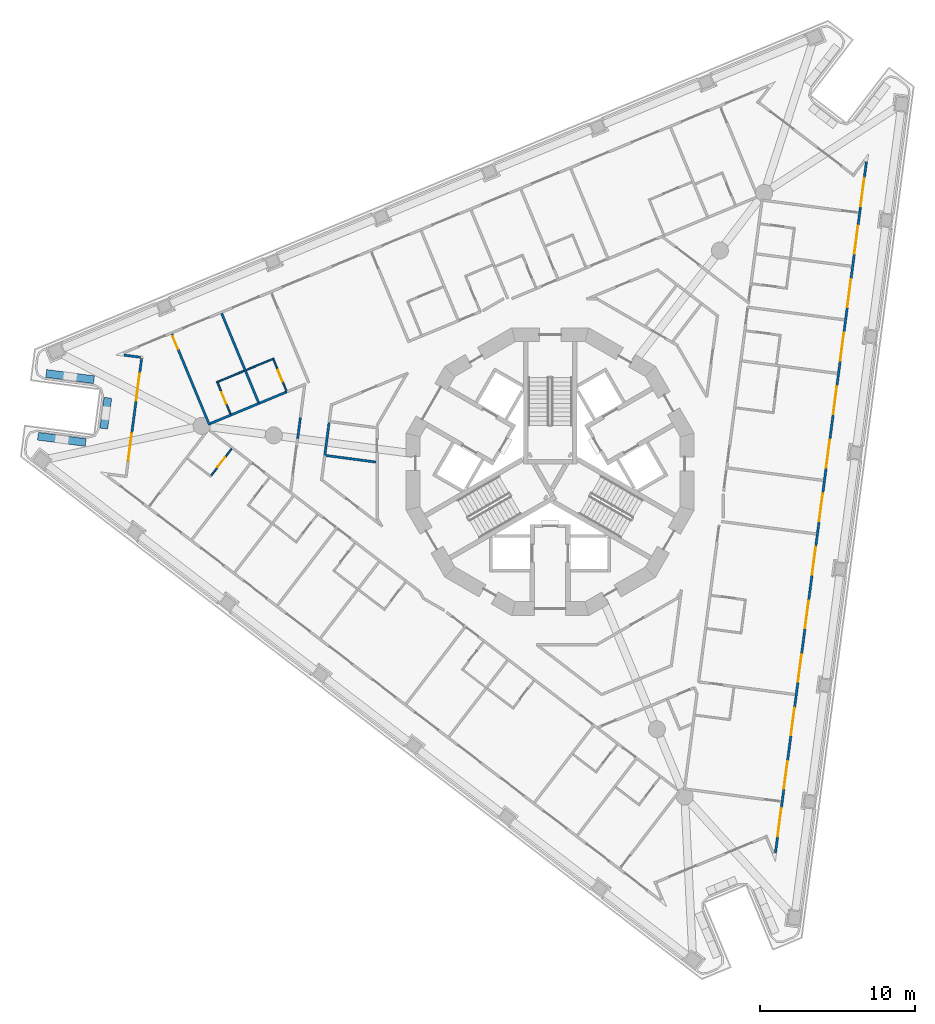
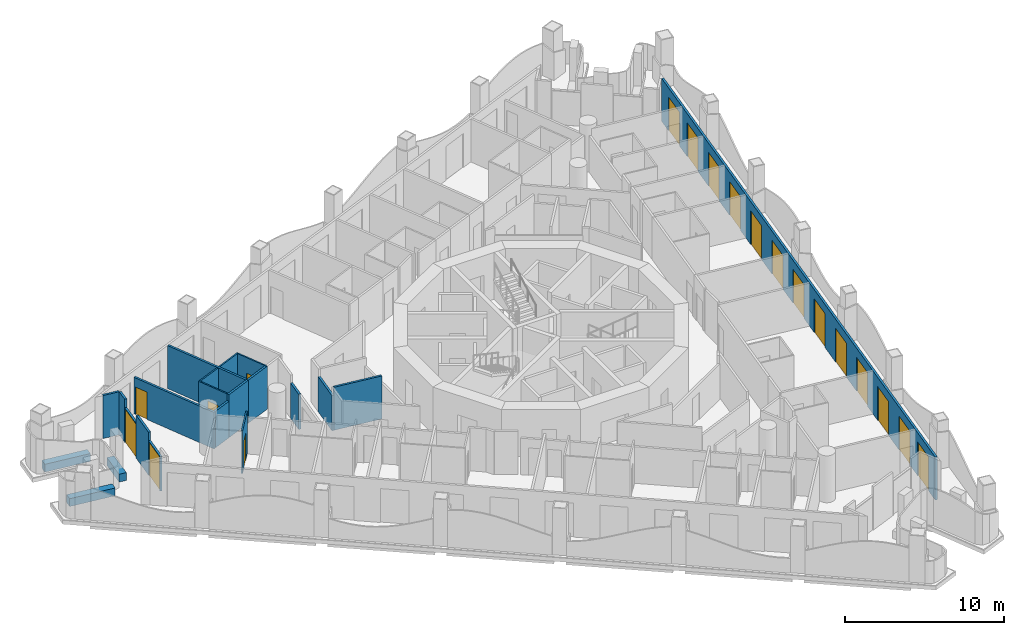
# One storey, part 6 of 17: 22 walls, 19 doors, 19 openings.
"""IFC4 building model written with IfcOpenShell, lengths in metres."""

from ifc_helpers import new_model, si_unit, direction, frame, frame_2d, origin, place, context, subcontext, project, spatial, polyline, rectangle, outline, extrude, material, layer, layer_set, type_object, element, fill, save


model = new_model("IFC4")

# Units and contexts
model_context = context("Model", 3, precision=1e-05, world=origin(), true_north=direction((0.0, 1.0)))
body_context = subcontext(model_context, "Body", "Model", "MODEL_VIEW")
ifc_project = project(units=[si_unit("LENGTHUNIT", "METRE"), si_unit("AREAUNIT", "SQUARE_METRE"), si_unit("VOLUMEUNIT", "CUBIC_METRE"), si_unit("PLANEANGLEUNIT", "RADIAN"), si_unit("MASSUNIT", "GRAM", prefix="KILO")], contexts=[model_context])

# Site, building, storey
site_placement = place(None, origin())
site = spatial("IfcSite", under=ifc_project, at=site_placement, CompositionType="ELEMENT")
building_placement = place(site_placement, origin())
building = spatial("IfcBuilding", under=site, at=building_placement, Name="Trine Commons Tower", CompositionType="ELEMENT")
storey_placement = place(building_placement, frame((0.0, 0.0, 135.0)))
storey = spatial("IfcBuildingStorey", under=building, at=storey_placement, Name="L34", CompositionType="ELEMENT", Elevation=135.0)

# Wall, opening, door
ifc_material_1 = material(Name="Aluminium-framed insulated wall panel", Category="aluminium")
ifc_layer_1 = layer(ifc_material_1, 0.14990234375)
ifc_layer_set_1 = layer_set([ifc_layer_1], Name="Aluminium-framed insulated wall panel")
wall_type_1 = type_object("IfcWallType", Name="Glazed frame wall 150, EI 60", PredefinedType="SOLIDWALL", material=ifc_layer_set_1)
wall_1_placement = place(storey_placement, frame((52.811279296875, 63.154296875, 0.0), z_axis=(0.0, 0.0, 1.0), x_axis=(0.130547578832, 0.991442045538, 0.0)))
wall_1 = element("IfcWall", 1, at=wall_1_placement, inside=storey, type_object=wall_type_1, Name="Glazed frame wall P1.2", PredefinedType="SOLIDWALL", context=body_context, shape_type="SweptSolid", body=[
    extrude(outline(polyline([(0.0, -0.074951171875), (1.89990234375, -0.074951171875), (1.89990234375, 0.074951171875), (0.0, 0.074951171875), (0.0, -0.074951171875)])), origin(), (0.0, 0.0, 1.0), 2.64990234375),
])
opening_1_placement = place(wall_1_placement, frame((0.050048828125, 0.0, 0.0)))
opening_1 = element("IfcOpeningElement", 2, at=opening_1_placement, cuts=wall_1, Name="Opening BD-4P1-01", PredefinedType="OPENING", context=body_context, shape_type="SweptSolid", body=[
    extrude(rectangle(XDim=1.800048828125, YDim=2.60009765625, at=frame_2d((0.89990234375, 1.300048828125))), frame((0.0, 0.0849609375, 0.0), z_axis=(0.0, -1.0, 0.0), x_axis=(1.0, 0.0, 0.0)), (0.0, 0.0, 1.0), 0.169921875),
])
ifc_material_2 = material(Name="Anodised aluminium frame with double glazing", Category="aluminium")
door_type_1 = type_object("IfcDoorType", Name="Sliding loggia door 1800x2600", OperationType="SLIDING_TO_LEFT", PredefinedType="DOOR", material=ifc_material_2)
door_1_placement = place(opening_1_placement, origin())
door_1 = element("IfcDoor", 3, at=door_1_placement, inside=storey, type_object=door_type_1, Name="Loggia door P1 1", OperationType="SLIDING_TO_LEFT", OverallHeight=2.60009765625, OverallWidth=1.800048828125, PredefinedType="DOOR", context=body_context, shape_type="SweptSolid", body=[
    extrude(rectangle(XDim=1.800048828125, YDim=2.60009765625, at=frame_2d((0.89990234375, 1.300048828125))), frame((0.0, 0.02490234375, 0.0), z_axis=(0.0, -1.0, 0.0), x_axis=(1.0, 0.0, 0.0)), (0.0, 0.0, 1.0), 0.050048828125),
])
fill(opening_1, door_1)

# Wall
wall_2_placement = place(storey_placement, frame((53.059326171875, 65.0380859375, 0.0), z_axis=(0.0, 0.0, 1.0), x_axis=(0.130492404742, 0.991449308994, 0.0)))
element("IfcWall", 4, at=wall_2_placement, inside=storey, type_object=wall_type_1, Name="Glazed frame wall P1.3", PredefinedType="SOLIDWALL", context=body_context, shape_type="SweptSolid", body=[
    extrude(outline(polyline([(0.0, -0.074951171875), (2.0, -0.074951171875), (2.0, 0.074951171875), (0.0, 0.074951171875), (0.0, -0.074951171875)])), origin(), (0.0, 0.0, 1.0), 3.300048828125),
])

# Wall, opening, door
wall_3_placement = place(storey_placement, frame((53.3203125, 67.02099609375, 0.0), z_axis=(0.0, 0.0, 1.0), x_axis=(0.130547578832, 0.991442045538, 0.0)))
wall_3 = element("IfcWall", 5, at=wall_3_placement, inside=storey, type_object=wall_type_1, Name="Glazed frame wall P1.4", PredefinedType="SOLIDWALL", context=body_context, shape_type="SweptSolid", body=[
    extrude(outline(polyline([(0.0, -0.074951171875), (1.89990234375, -0.074951171875), (1.89990234375, 0.074951171875), (0.0, 0.074951171875), (0.0, -0.074951171875)])), origin(), (0.0, 0.0, 1.0), 2.64990234375),
])
opening_2_placement = place(wall_3_placement, frame((0.050048828125, 0.0, 0.0)))
opening_2 = element("IfcOpeningElement", 6, at=opening_2_placement, cuts=wall_3, Name="Opening BD-4P1-02", PredefinedType="OPENING", context=body_context, shape_type="SweptSolid", body=[
    extrude(rectangle(XDim=1.800048828125, YDim=2.60009765625, at=frame_2d((0.89990234375, 1.300048828125))), frame((0.0, 0.0849609375, 0.0), z_axis=(0.0, -1.0, 0.0), x_axis=(1.0, 0.0, 0.0)), (0.0, 0.0, 1.0), 0.169921875),
])
door_2_placement = place(opening_2_placement, origin())
door_2 = element("IfcDoor", 7, at=door_2_placement, inside=storey, type_object=door_type_1, Name="Loggia door P1 2", OperationType="SLIDING_TO_LEFT", OverallHeight=2.60009765625, OverallWidth=1.800048828125, PredefinedType="DOOR", context=body_context, shape_type="SweptSolid", body=[
    extrude(rectangle(XDim=1.800048828125, YDim=2.60009765625, at=frame_2d((0.89990234375, 1.300048828125))), frame((0.0, 0.02490234375, 0.0), z_axis=(0.0, -1.0, 0.0), x_axis=(1.0, 0.0, 0.0)), (0.0, 0.0, 1.0), 0.050048828125),
])
fill(opening_2, door_2)

# Walls
wall_4_placement = place(storey_placement, frame((53.568359375, 68.90478515625, 0.0), z_axis=(0.0, 0.0, 1.0), x_axis=(0.130612392842, 0.991433509034, 0.0)))
element("IfcWall", 8, at=wall_4_placement, inside=storey, type_object=wall_type_1, Name="Glazed frame wall P1.5", PredefinedType="SOLIDWALL", context=body_context, shape_type="SweptSolid", body=[
    extrude(outline(polyline([(0.889892578125, 0.074951171875), (0.0, 0.074951171875), (0.0, -0.074951171875), (0.889892578125, -0.074951171875), (0.889892578125, 0.074951171875)])), origin(), (0.0, 0.0, 1.0), 3.300048828125),
])
wall_5_placement = place(storey_placement, frame((53.72900390625, 69.85693359375, 0.0), z_axis=(0.0, 0.0, 1.0), x_axis=(-0.991446880033, 0.130510858064, 0.0)))
element("IfcWall", 9, at=wall_5_placement, inside=storey, type_object=wall_type_1, Name="Glazed frame wall R3", PredefinedType="SOLIDWALL", context=body_context, shape_type="SweptSolid", body=[
    extrude(outline(polyline([(0.110107421875, 0.074951171875), (0.110107421875, -0.074951171875), (1.19580078125, -0.074951171875), (1.19580078125, 0.074951171875), (0.110107421875, 0.074951171875)])), origin(), (0.0, 0.0, 1.0), 3.300048828125),
])

# Wall, openings, doors
wall_6_placement = place(storey_placement, frame((100.387939453125, 82.614013671875, 0.0), z_axis=(0.0, 0.0, 1.0), x_axis=(-0.130522128443, -0.991445396372, 0.0)))
wall_6 = element("IfcWall", 10, at=wall_6_placement, inside=storey, type_object=wall_type_1, Name="Glazed frame wall F2", PredefinedType="SOLIDWALL", context=body_context, shape_type="SweptSolid", body=[
    extrude(outline(polyline([(0.1494140625, 0.074951171875), (0.1494140625, -0.074951171875), (45.056884765625, -0.074951171875), (45.056884765625, 0.074951171875), (0.1494140625, 0.074951171875)])), origin(), (0.0, 0.0, 1.0), 3.300048828125),
])
opening_3_placement = place(wall_6_placement, frame((1.23876953125, 0.0, 0.0)))
opening_3 = element("IfcOpeningElement", 11, at=opening_3_placement, cuts=wall_6, Name="Opening BD-4F2-01", PredefinedType="OPENING", context=body_context, shape_type="SweptSolid", body=[
    extrude(rectangle(XDim=1.800048828125, YDim=2.60009765625, at=frame_2d((0.89990234375, 1.300048828125))), frame((0.0, 0.0849609375, 0.0), z_axis=(0.0, -1.0, 0.0), x_axis=(1.0, 0.0, 0.0)), (0.0, 0.0, 1.0), 0.169921875),
])
opening_4_placement = place(wall_6_placement, frame((4.316162109375, 0.0, 0.0)))
opening_4 = element("IfcOpeningElement", 12, at=opening_4_placement, cuts=wall_6, Name="Opening BD-4F2-02", PredefinedType="OPENING", context=body_context, shape_type="SweptSolid", body=[
    extrude(rectangle(XDim=1.800048828125, YDim=2.60009765625, at=frame_2d((0.89990234375, 1.300048828125))), frame((0.0, 0.0849609375, 0.0), z_axis=(0.0, -1.0, 0.0), x_axis=(1.0, 0.0, 0.0)), (0.0, 0.0, 1.0), 0.169921875),
])
opening_5_placement = place(wall_6_placement, frame((7.79345703125, 0.0, 0.0)))
opening_5 = element("IfcOpeningElement", 13, at=opening_5_placement, cuts=wall_6, Name="Opening BD-4F2-03", PredefinedType="OPENING", context=body_context, shape_type="SweptSolid", body=[
    extrude(rectangle(XDim=1.800048828125, YDim=2.60009765625, at=frame_2d((0.89990234375, 1.300048828125))), frame((0.0, 0.0849609375, 0.0), z_axis=(0.0, -1.0, 0.0), x_axis=(1.0, 0.0, 0.0)), (0.0, 0.0, 1.0), 0.169921875),
])
opening_6_placement = place(wall_6_placement, frame((11.27099609375, 0.0, 0.0)))
opening_6 = element("IfcOpeningElement", 14, at=opening_6_placement, cuts=wall_6, Name="Opening BD-4F2-04", PredefinedType="OPENING", context=body_context, shape_type="SweptSolid", body=[
    extrude(rectangle(XDim=1.800048828125, YDim=2.60009765625, at=frame_2d((0.89990234375, 1.300048828125))), frame((0.0, 0.0849609375, 0.0), z_axis=(0.0, -1.0, 0.0), x_axis=(1.0, 0.0, 0.0)), (0.0, 0.0, 1.0), 0.169921875),
])
opening_7_placement = place(wall_6_placement, frame((14.748291015625, 0.0, 0.0)))
opening_7 = element("IfcOpeningElement", 15, at=opening_7_placement, cuts=wall_6, Name="Opening BD-4F2-05", PredefinedType="OPENING", context=body_context, shape_type="SweptSolid", body=[
    extrude(rectangle(XDim=1.800048828125, YDim=2.60009765625, at=frame_2d((0.89990234375, 1.300048828125))), frame((0.0, 0.0849609375, 0.0), z_axis=(0.0, -1.0, 0.0), x_axis=(1.0, 0.0, 0.0)), (0.0, 0.0, 1.0), 0.169921875),
])
opening_8_placement = place(wall_6_placement, frame((18.2255859375, 0.0, 0.0)))
opening_8 = element("IfcOpeningElement", 16, at=opening_8_placement, cuts=wall_6, Name="Opening BD-4F2-06", PredefinedType="OPENING", context=body_context, shape_type="SweptSolid", body=[
    extrude(rectangle(XDim=1.800048828125, YDim=2.60009765625, at=frame_2d((0.89990234375, 1.300048828125))), frame((0.0, 0.0849609375, 0.0), z_axis=(0.0, -1.0, 0.0), x_axis=(1.0, 0.0, 0.0)), (0.0, 0.0, 1.0), 0.169921875),
])
opening_9_placement = place(wall_6_placement, frame((21.703125, 0.0, 0.0)))
opening_9 = element("IfcOpeningElement", 17, at=opening_9_placement, cuts=wall_6, Name="Opening BD-4F2-07", PredefinedType="OPENING", context=body_context, shape_type="SweptSolid", body=[
    extrude(rectangle(XDim=1.800048828125, YDim=2.60009765625, at=frame_2d((0.89990234375, 1.300048828125))), frame((0.0, 0.0849609375, 0.0), z_axis=(0.0, -1.0, 0.0), x_axis=(1.0, 0.0, 0.0)), (0.0, 0.0, 1.0), 0.169921875),
])
opening_10_placement = place(wall_6_placement, frame((25.180419921875, 0.0, 0.0)))
opening_10 = element("IfcOpeningElement", 18, at=opening_10_placement, cuts=wall_6, Name="Opening BD-4F2-08", PredefinedType="OPENING", context=body_context, shape_type="SweptSolid", body=[
    extrude(rectangle(XDim=1.800048828125, YDim=2.60009765625, at=frame_2d((0.89990234375, 1.300048828125))), frame((0.0, 0.0849609375, 0.0), z_axis=(0.0, -1.0, 0.0), x_axis=(1.0, 0.0, 0.0)), (0.0, 0.0, 1.0), 0.169921875),
])
opening_11_placement = place(wall_6_placement, frame((28.657958984375, 0.0, 0.0)))
opening_11 = element("IfcOpeningElement", 19, at=opening_11_placement, cuts=wall_6, Name="Opening BD-4F2-09", PredefinedType="OPENING", context=body_context, shape_type="SweptSolid", body=[
    extrude(rectangle(XDim=1.800048828125, YDim=2.60009765625, at=frame_2d((0.89990234375, 1.300048828125))), frame((0.0, 0.0849609375, 0.0), z_axis=(0.0, -1.0, 0.0), x_axis=(1.0, 0.0, 0.0)), (0.0, 0.0, 1.0), 0.169921875),
])
opening_12_placement = place(wall_6_placement, frame((32.13525390625, 0.0, 0.0)))
opening_12 = element("IfcOpeningElement", 20, at=opening_12_placement, cuts=wall_6, Name="Opening BD-4F2-10", PredefinedType="OPENING", context=body_context, shape_type="SweptSolid", body=[
    extrude(rectangle(XDim=1.800048828125, YDim=2.60009765625, at=frame_2d((0.89990234375, 1.300048828125))), frame((0.0, 0.0849609375, 0.0), z_axis=(0.0, -1.0, 0.0), x_axis=(1.0, 0.0, 0.0)), (0.0, 0.0, 1.0), 0.169921875),
])
opening_13_placement = place(wall_6_placement, frame((35.61279296875, 0.0, 0.0)))
opening_13 = element("IfcOpeningElement", 21, at=opening_13_placement, cuts=wall_6, Name="Opening BD-4F2-11", PredefinedType="OPENING", context=body_context, shape_type="SweptSolid", body=[
    extrude(rectangle(XDim=1.800048828125, YDim=2.60009765625, at=frame_2d((0.89990234375, 1.300048828125))), frame((0.0, 0.0849609375, 0.0), z_axis=(0.0, -1.0, 0.0), x_axis=(1.0, 0.0, 0.0)), (0.0, 0.0, 1.0), 0.169921875),
])
opening_14_placement = place(wall_6_placement, frame((39.090087890625, 0.0, 0.0)))
opening_14 = element("IfcOpeningElement", 22, at=opening_14_placement, cuts=wall_6, Name="Opening BD-4F2-12", PredefinedType="OPENING", context=body_context, shape_type="SweptSolid", body=[
    extrude(rectangle(XDim=1.800048828125, YDim=2.60009765625, at=frame_2d((0.89990234375, 1.300048828125))), frame((0.0, 0.0849609375, 0.0), z_axis=(0.0, -1.0, 0.0), x_axis=(1.0, 0.0, 0.0)), (0.0, 0.0, 1.0), 0.169921875),
])
opening_15_placement = place(wall_6_placement, frame((42.16748046875, 0.0, 0.0)))
opening_15 = element("IfcOpeningElement", 23, at=opening_15_placement, cuts=wall_6, Name="Opening BD-4F2-13", PredefinedType="OPENING", context=body_context, shape_type="SweptSolid", body=[
    extrude(rectangle(XDim=1.800048828125, YDim=2.60009765625, at=frame_2d((0.89990234375, 1.300048828125))), frame((0.0, 0.0849609375, 0.0), z_axis=(0.0, -1.0, 0.0), x_axis=(1.0, 0.0, 0.0)), (0.0, 0.0, 1.0), 0.169921875),
])
door_3_placement = place(opening_3_placement, origin())
door_3 = element("IfcDoor", 24, at=door_3_placement, inside=storey, type_object=door_type_1, Name="Loggia door F2 1", OperationType="SLIDING_TO_LEFT", OverallHeight=2.60009765625, OverallWidth=1.800048828125, PredefinedType="DOOR", context=body_context, shape_type="SweptSolid", body=[
    extrude(rectangle(XDim=1.800048828125, YDim=2.60009765625, at=frame_2d((0.89990234375, 1.300048828125))), frame((0.0, 0.02490234375, 0.0), z_axis=(0.0, -1.0, 0.0), x_axis=(1.0, 0.0, 0.0)), (0.0, 0.0, 1.0), 0.050048828125),
])
fill(opening_3, door_3)
door_4_placement = place(opening_4_placement, origin())
door_4 = element("IfcDoor", 25, at=door_4_placement, inside=storey, type_object=door_type_1, Name="Loggia door F2 2", OperationType="SLIDING_TO_LEFT", OverallHeight=2.60009765625, OverallWidth=1.800048828125, PredefinedType="DOOR", context=body_context, shape_type="SweptSolid", body=[
    extrude(rectangle(XDim=1.800048828125, YDim=2.60009765625, at=frame_2d((0.89990234375, 1.300048828125))), frame((0.0, 0.02490234375, 0.0), z_axis=(0.0, -1.0, 0.0), x_axis=(1.0, 0.0, 0.0)), (0.0, 0.0, 1.0), 0.050048828125),
])
fill(opening_4, door_4)
door_5_placement = place(opening_5_placement, origin())
door_5 = element("IfcDoor", 26, at=door_5_placement, inside=storey, type_object=door_type_1, Name="Loggia door F2 3", OperationType="SLIDING_TO_LEFT", OverallHeight=2.60009765625, OverallWidth=1.800048828125, PredefinedType="DOOR", context=body_context, shape_type="SweptSolid", body=[
    extrude(rectangle(XDim=1.800048828125, YDim=2.60009765625, at=frame_2d((0.89990234375, 1.300048828125))), frame((0.0, 0.02490234375, 0.0), z_axis=(0.0, -1.0, 0.0), x_axis=(1.0, 0.0, 0.0)), (0.0, 0.0, 1.0), 0.050048828125),
])
fill(opening_5, door_5)
door_6_placement = place(opening_6_placement, origin())
door_6 = element("IfcDoor", 27, at=door_6_placement, inside=storey, type_object=door_type_1, Name="Loggia door F2 4", OperationType="SLIDING_TO_LEFT", OverallHeight=2.60009765625, OverallWidth=1.800048828125, PredefinedType="DOOR", context=body_context, shape_type="SweptSolid", body=[
    extrude(rectangle(XDim=1.800048828125, YDim=2.60009765625, at=frame_2d((0.89990234375, 1.300048828125))), frame((0.0, 0.02490234375, 0.0), z_axis=(0.0, -1.0, 0.0), x_axis=(1.0, 0.0, 0.0)), (0.0, 0.0, 1.0), 0.050048828125),
])
fill(opening_6, door_6)
door_7_placement = place(opening_7_placement, origin())
door_7 = element("IfcDoor", 28, at=door_7_placement, inside=storey, type_object=door_type_1, Name="Loggia door F2 5", OperationType="SLIDING_TO_LEFT", OverallHeight=2.60009765625, OverallWidth=1.800048828125, PredefinedType="DOOR", context=body_context, shape_type="SweptSolid", body=[
    extrude(rectangle(XDim=1.800048828125, YDim=2.60009765625, at=frame_2d((0.89990234375, 1.300048828125))), frame((0.0, 0.02490234375, 0.0), z_axis=(0.0, -1.0, 0.0), x_axis=(1.0, 0.0, 0.0)), (0.0, 0.0, 1.0), 0.050048828125),
])
fill(opening_7, door_7)
door_8_placement = place(opening_8_placement, origin())
door_8 = element("IfcDoor", 29, at=door_8_placement, inside=storey, type_object=door_type_1, Name="Loggia door F2 6", OperationType="SLIDING_TO_LEFT", OverallHeight=2.60009765625, OverallWidth=1.800048828125, PredefinedType="DOOR", context=body_context, shape_type="SweptSolid", body=[
    extrude(rectangle(XDim=1.800048828125, YDim=2.60009765625, at=frame_2d((0.89990234375, 1.300048828125))), frame((0.0, 0.02490234375, 0.0), z_axis=(0.0, -1.0, 0.0), x_axis=(1.0, 0.0, 0.0)), (0.0, 0.0, 1.0), 0.050048828125),
])
fill(opening_8, door_8)
door_9_placement = place(opening_9_placement, origin())
door_9 = element("IfcDoor", 30, at=door_9_placement, inside=storey, type_object=door_type_1, Name="Loggia door F2 7", OperationType="SLIDING_TO_LEFT", OverallHeight=2.60009765625, OverallWidth=1.800048828125, PredefinedType="DOOR", context=body_context, shape_type="SweptSolid", body=[
    extrude(rectangle(XDim=1.800048828125, YDim=2.60009765625, at=frame_2d((0.89990234375, 1.300048828125))), frame((0.0, 0.02490234375, 0.0), z_axis=(0.0, -1.0, 0.0), x_axis=(1.0, 0.0, 0.0)), (0.0, 0.0, 1.0), 0.050048828125),
])
fill(opening_9, door_9)
door_10_placement = place(opening_10_placement, origin())
door_10 = element("IfcDoor", 31, at=door_10_placement, inside=storey, type_object=door_type_1, Name="Loggia door F2 8", OperationType="SLIDING_TO_LEFT", OverallHeight=2.60009765625, OverallWidth=1.800048828125, PredefinedType="DOOR", context=body_context, shape_type="SweptSolid", body=[
    extrude(rectangle(XDim=1.800048828125, YDim=2.60009765625, at=frame_2d((0.89990234375, 1.300048828125))), frame((0.0, 0.02490234375, 0.0), z_axis=(0.0, -1.0, 0.0), x_axis=(1.0, 0.0, 0.0)), (0.0, 0.0, 1.0), 0.050048828125),
])
fill(opening_10, door_10)
door_11_placement = place(opening_11_placement, origin())
door_11 = element("IfcDoor", 32, at=door_11_placement, inside=storey, type_object=door_type_1, Name="Loggia door F2 9", OperationType="SLIDING_TO_LEFT", OverallHeight=2.60009765625, OverallWidth=1.800048828125, PredefinedType="DOOR", context=body_context, shape_type="SweptSolid", body=[
    extrude(rectangle(XDim=1.800048828125, YDim=2.60009765625, at=frame_2d((0.89990234375, 1.300048828125))), frame((0.0, 0.02490234375, 0.0), z_axis=(0.0, -1.0, 0.0), x_axis=(1.0, 0.0, 0.0)), (0.0, 0.0, 1.0), 0.050048828125),
])
fill(opening_11, door_11)
door_12_placement = place(opening_12_placement, origin())
door_12 = element("IfcDoor", 33, at=door_12_placement, inside=storey, type_object=door_type_1, Name="Loggia door F2 10", OperationType="SLIDING_TO_LEFT", OverallHeight=2.60009765625, OverallWidth=1.800048828125, PredefinedType="DOOR", context=body_context, shape_type="SweptSolid", body=[
    extrude(rectangle(XDim=1.800048828125, YDim=2.60009765625, at=frame_2d((0.89990234375, 1.300048828125))), frame((0.0, 0.02490234375, 0.0), z_axis=(0.0, -1.0, 0.0), x_axis=(1.0, 0.0, 0.0)), (0.0, 0.0, 1.0), 0.050048828125),
])
fill(opening_12, door_12)
door_13_placement = place(opening_13_placement, origin())
door_13 = element("IfcDoor", 34, at=door_13_placement, inside=storey, type_object=door_type_1, Name="Loggia door F2 11", OperationType="SLIDING_TO_LEFT", OverallHeight=2.60009765625, OverallWidth=1.800048828125, PredefinedType="DOOR", context=body_context, shape_type="SweptSolid", body=[
    extrude(rectangle(XDim=1.800048828125, YDim=2.60009765625, at=frame_2d((0.89990234375, 1.300048828125))), frame((0.0, 0.02490234375, 0.0), z_axis=(0.0, -1.0, 0.0), x_axis=(1.0, 0.0, 0.0)), (0.0, 0.0, 1.0), 0.050048828125),
])
fill(opening_13, door_13)
door_14_placement = place(opening_14_placement, origin())
door_14 = element("IfcDoor", 35, at=door_14_placement, inside=storey, type_object=door_type_1, Name="Loggia door F2 12", OperationType="SLIDING_TO_LEFT", OverallHeight=2.60009765625, OverallWidth=1.800048828125, PredefinedType="DOOR", context=body_context, shape_type="SweptSolid", body=[
    extrude(rectangle(XDim=1.800048828125, YDim=2.60009765625, at=frame_2d((0.89990234375, 1.300048828125))), frame((0.0, 0.02490234375, 0.0), z_axis=(0.0, -1.0, 0.0), x_axis=(1.0, 0.0, 0.0)), (0.0, 0.0, 1.0), 0.050048828125),
])
fill(opening_14, door_14)
door_15_placement = place(opening_15_placement, origin())
door_15 = element("IfcDoor", 36, at=door_15_placement, inside=storey, type_object=door_type_1, Name="Loggia door F2 13", OperationType="SLIDING_TO_LEFT", OverallHeight=2.60009765625, OverallWidth=1.800048828125, PredefinedType="DOOR", context=body_context, shape_type="SweptSolid", body=[
    extrude(rectangle(XDim=1.800048828125, YDim=2.60009765625, at=frame_2d((0.89990234375, 1.300048828125))), frame((0.0, 0.02490234375, 0.0), z_axis=(0.0, -1.0, 0.0), x_axis=(1.0, 0.0, 0.0)), (0.0, 0.0, 1.0), 0.050048828125),
])
fill(opening_15, door_15)

# Walls
ifc_material_3 = material(Name="Planter trough, precast concrete C40/50", Category="concrete")
ifc_layer_2 = layer(ifc_material_3, 0.5)
ifc_layer_set_2 = layer_set([ifc_layer_2], Name="Planter trough, precast concrete C40/50")
wall_type_2 = type_object("IfcWallType", Name="Planter trough 500x600", PredefinedType="PARAPET", material=ifc_layer_set_2)
wall_7_placement = place(storey_placement, frame((47.009765625, 64.78564453125, 0.0), z_axis=(0.0, 0.0, 1.0), x_axis=(0.991448665422, -0.130497294353, 0.0)))
element("IfcWall", 37, at=wall_7_placement, inside=storey, type_object=wall_type_2, Name="Planter 1", PredefinedType="PARAPET", context=body_context, shape_type="SweptSolid", body=[
    extrude(rectangle(XDim=3.10009765625, YDim=0.5, at=frame_2d((1.550048828125, 0.0))), origin(), (0.0, 0.0, 1.0), 0.60009765625),
])
wall_8_placement = place(storey_placement, frame((51.25, 65.2763671875, 0.0), z_axis=(0.0, 0.0, 1.0), x_axis=(0.130492404742, 0.991449308994, 0.0)))
element("IfcWall", 38, at=wall_8_placement, inside=storey, type_object=wall_type_2, Name="Planter 2", PredefinedType="PARAPET", context=body_context, shape_type="SweptSolid", body=[
    extrude(rectangle(XDim=2.0, YDim=0.5, at=frame_2d((1.0, 0.0))), origin(), (0.0, 0.0, 1.0), 0.60009765625),
])
wall_9_placement = place(storey_placement, frame((50.615478515625, 68.426025390625, 0.0), z_axis=(0.0, 0.0, 1.0), x_axis=(-0.991437130155, 0.130584903225, 0.0)))
element("IfcWall", 39, at=wall_9_placement, inside=storey, type_object=wall_type_2, Name="Planter 3", PredefinedType="PARAPET", context=body_context, shape_type="SweptSolid", body=[
    extrude(rectangle(XDim=3.099853515625, YDim=0.5, at=frame_2d((1.5498046875, 0.0))), origin(), (0.0, 0.0, 1.0), 0.60009765625),
])

# Wall, opening, door
ifc_material_4 = material(Name="Gypsum plasterboard on steel stud", Category="steel")
ifc_layer_3 = layer(ifc_material_4, 0.14990234375)
ifc_layer_set_3 = layer_set([ifc_layer_3], Name="Gypsum plasterboard on steel stud")
wall_type_3 = type_object("IfcWallType", Name="Unit and corridor wall 150 mm, EI 60", PredefinedType="PARTITIONING", material=ifc_layer_set_3)
wall_10_placement = place(storey_placement, frame((55.62841796875, 71.361083984375, 0.0), z_axis=(0.0, 0.0, 1.0), x_axis=(0.38260330851, -0.923912716828, 0.0)))
wall_10 = element("IfcWall", 40, at=wall_10_placement, inside=storey, type_object=wall_type_3, Name="Partition 002", PredefinedType="PARTITIONING", context=body_context, shape_type="SweptSolid", body=[
    extrude(rectangle(XDim=6.343994140625, YDim=0.14990234375, at=frame_2d((3.171875, 0.0))), origin(), (0.0, 0.0, 1.0), 2.800048828125),
])
opening_16_placement = place(wall_10_placement, frame((0.14990234375, 0.0, 0.0)))
opening_16 = element("IfcOpeningElement", 41, at=opening_16_placement, cuts=wall_10, Name="Opening D-4B05", PredefinedType="OPENING", context=body_context, shape_type="SweptSolid", body=[
    extrude(rectangle(XDim=0.89990234375, YDim=2.10009765625, at=frame_2d((0.449951171875, 1.050048828125))), frame((0.0, 0.0849609375, 0.0), z_axis=(0.0, -1.0, 0.0), x_axis=(1.0, 0.0, 0.0)), (0.0, 0.0, 1.0), 0.169921875),
])
ifc_material_5 = material(Name="Timber fire door set", Category="wood")
door_type_2 = type_object("IfcDoorType", Name="Bedroom door 900 x 2100, FD30S", OperationType="NOTDEFINED", PredefinedType="DOOR", material=ifc_material_5)
door_16_placement = place(opening_16_placement, origin())
door_16 = element("IfcDoor", 42, at=door_16_placement, inside=storey, type_object=door_type_2, Name="Door D-4B05", OperationType="SINGLE_SWING_LEFT", OverallHeight=2.10009765625, OverallWidth=0.89990234375, PredefinedType="DOOR", context=body_context, shape_type="SweptSolid", body=[
    extrude(rectangle(XDim=0.89990234375, YDim=2.10009765625, at=frame_2d((0.449951171875, 1.050048828125))), frame((0.0, 0.02490234375, 0.0), z_axis=(0.0, -1.0, 0.0), x_axis=(1.0, 0.0, 0.0)), (0.0, 0.0, 1.0), 0.050048828125),
])
fill(opening_16, door_16)

# Walls
wall_11_placement = place(storey_placement, frame((58.09619140625, 65.59765625, 0.0), z_axis=(0.0, 0.0, 1.0), x_axis=(0.923888134281, 0.382662665196, 0.0)))
element("IfcWall", 43, at=wall_11_placement, inside=storey, type_object=wall_type_3, Name="Partition 006", PredefinedType="PARTITIONING", context=body_context, shape_type="SweptSolid", body=[
    extrude(rectangle(XDim=1.45654296875, YDim=0.14990234375, at=frame_2d((0.728271484375, 0.0))), origin(), (0.0, 0.0, 1.0), 2.800048828125),
])
wall_12_placement = place(storey_placement, frame((58.84130859375, 72.69189453125, 0.0), z_axis=(0.0, 0.0, 1.0), x_axis=(0.382610562407, -0.923909712869, 0.0)))
element("IfcWall", 44, at=wall_12_placement, inside=storey, type_object=wall_type_3, Name="Partition 010", PredefinedType="PARTITIONING", context=body_context, shape_type="SweptSolid", body=[
    extrude(rectangle(XDim=6.19384765625, YDim=0.14990234375, at=frame_2d((3.096923828125, 0.0))), origin(), (0.0, 0.0, 1.0), 3.300048828125),
])
wall_13_placement = place(storey_placement, frame((59.388916015625, 66.1328125, 0.0), z_axis=(0.0, 0.0, 1.0), x_axis=(0.923817799338, 0.382832435442, 0.0)))
element("IfcWall", 45, at=wall_13_placement, inside=storey, type_object=wall_type_3, Name="Partition 011", PredefinedType="PARTITIONING", context=body_context, shape_type="SweptSolid", body=[
    extrude(rectangle(XDim=2.003662109375, YDim=0.14990234375, at=frame_2d((1.001953125, 0.0))), origin(), (0.0, 0.0, 1.0), 3.300048828125),
])
wall_14_placement = place(storey_placement, frame((61.239990234375, 66.89990234375, 0.0), z_axis=(0.0, 0.0, 1.0), x_axis=(0.92387678234, 0.382690071798, 0.0)))
element("IfcWall", 46, at=wall_14_placement, inside=storey, type_object=wall_type_3, Name="Partition 016", PredefinedType="PARTITIONING", context=body_context, shape_type="SweptSolid", body=[
    extrude(rectangle(XDim=1.95458984375, YDim=0.14990234375, at=frame_2d((0.977294921875, 0.0))), origin(), (0.0, 0.0, 1.0), 3.300048828125),
])
wall_15_placement = place(storey_placement, frame((63.736083984375, 64.64111328125, 0.0), z_axis=(0.0, 0.0, 1.0), x_axis=(0.129741998441, 0.991547786968, 0.0)))
element("IfcWall", 47, at=wall_15_placement, inside=storey, type_object=wall_type_3, Name="Partition 024", PredefinedType="PARTITIONING", context=body_context, shape_type="SweptSolid", body=[
    extrude(rectangle(XDim=1.347412109375, YDim=0.14990234375, at=frame_2d((0.673828125, 0.0))), origin(), (0.0, 0.0, 1.0), 2.699951171875),
])
wall_16_placement = place(storey_placement, frame((65.47314453125, 63.4755859375, 0.0), z_axis=(0.0, 0.0, 1.0), x_axis=(0.130468344309, 0.991452475479, 0.0)))
element("IfcWall", 48, at=wall_16_placement, inside=storey, type_object=wall_type_3, Name="Partition 029", PredefinedType="PARTITIONING", context=body_context, shape_type="SweptSolid", body=[
    extrude(rectangle(XDim=2.282958984375, YDim=0.14990234375, at=frame_2d((1.1416015625, 0.0))), origin(), (0.0, 0.0, 1.0), 2.699951171875),
])
wall_17_placement = place(storey_placement, frame((65.558349609375, 63.544189453125, 0.0), z_axis=(0.0, 0.0, 1.0), x_axis=(0.991425096487, -0.13067623371, 0.0)))
element("IfcWall", 49, at=wall_17_placement, inside=storey, type_object=wall_type_3, Name="Partition 030", PredefinedType="PARTITIONING", context=body_context, shape_type="SweptSolid", body=[
    extrude(rectangle(XDim=3.2470703125, YDim=0.14990234375, at=frame_2d((1.62353515625, 0.0))), origin(), (0.0, 0.0, 1.0), 3.300048828125),
])

# Wall, opening, door
ifc_layer_4 = layer(ifc_material_4, 0.10009765625)
ifc_layer_set_4 = layer_set([ifc_layer_4], Name="Gypsum plasterboard on steel stud")
wall_type_4 = type_object("IfcWallType", Name="Unit partition 100 mm, no rating", PredefinedType="PARTITIONING", material=ifc_layer_set_4)
wall_18_placement = place(storey_placement, frame((58.158447265625, 62.250732421875, 0.0), z_axis=(0.0, 0.0, 1.0), x_axis=(0.609173579823, 0.793036915689, 0.0)))
wall_18 = element("IfcWall", 50, at=wall_18_placement, inside=storey, type_object=wall_type_4, Name="Partition 007", PredefinedType="PARTITIONING", context=body_context, shape_type="SweptSolid", body=[
    extrude(rectangle(XDim=2.175048828125, YDim=0.10009765625, at=frame_2d((1.08740234375, 0.0))), origin(), (0.0, 0.0, 1.0), 3.300048828125),
])
opening_17_placement = place(wall_18_placement, frame((0.6875, 0.0, 0.0)))
opening_17 = element("IfcOpeningElement", 51, at=opening_17_placement, cuts=wall_18, Name="Opening D-4B58", PredefinedType="OPENING", context=body_context, shape_type="SweptSolid", body=[
    extrude(rectangle(XDim=0.800048828125, YDim=2.10009765625, at=frame_2d((0.39990234375, 1.050048828125))), frame((0.0, 0.06005859375, 0.0), z_axis=(0.0, -1.0, 0.0), x_axis=(1.0, 0.0, 0.0)), (0.0, 0.0, 1.0), 0.1201171875),
])
ifc_material_6 = material(Name="Painted timber", Category="wood")
door_type_3 = type_object("IfcDoorType", Name="Internal door 800 x 2100, NOT RATED", OperationType="NOTDEFINED", PredefinedType="DOOR", material=ifc_material_6)
door_17_placement = place(opening_17_placement, frame((0.800048828125, 0.0, 0.0), z_axis=(0.0, 0.0, 1.0), x_axis=(-1.0, 0.0, 0.0)))
door_17 = element("IfcDoor", 52, at=door_17_placement, inside=storey, type_object=door_type_3, Name="Door D-4B58", OperationType="SINGLE_SWING_LEFT", OverallHeight=2.10009765625, OverallWidth=0.800048828125, PredefinedType="DOOR", context=body_context, shape_type="SweptSolid", body=[
    extrude(rectangle(XDim=0.800048828125, YDim=2.10009765625, at=frame_2d((0.39990234375, 1.050048828125))), frame((0.0, 0.02490234375, 0.0), z_axis=(0.0, -1.0, 0.0), x_axis=(1.0, 0.0, 0.0)), (0.0, 0.0, 1.0), 0.050048828125),
])
fill(opening_17, door_17)

wall_19_placement = place(storey_placement, frame((58.538818359375, 68.3251953125, 0.0), z_axis=(0.0, 0.0, 1.0), x_axis=(0.382595073996, -0.923916126796, 0.0)))
wall_19 = element("IfcWall", 53, at=wall_19_placement, inside=storey, type_object=wall_type_4, Name="Partition 008", PredefinedType="PARTITIONING", context=body_context, shape_type="SweptSolid", body=[
    extrude(rectangle(XDim=2.27490234375, YDim=0.10009765625, at=frame_2d((1.137451171875, 0.0))), origin(), (0.0, 0.0, 1.0), 3.300048828125),
])
opening_18_placement = place(wall_19_placement, frame((0.7626953125, 0.0, 0.0)))
opening_18 = element("IfcOpeningElement", 54, at=opening_18_placement, cuts=wall_19, Name="Opening D-4B36", PredefinedType="OPENING", context=body_context, shape_type="SweptSolid", body=[
    extrude(rectangle(XDim=0.800048828125, YDim=2.10009765625, at=frame_2d((0.39990234375, 1.050048828125))), frame((0.0, 0.06005859375, 0.0), z_axis=(0.0, -1.0, 0.0), x_axis=(1.0, 0.0, 0.0)), (0.0, 0.0, 1.0), 0.1201171875),
])
door_18_placement = place(opening_18_placement, frame((0.800048828125, 0.0, 0.0), z_axis=(0.0, 0.0, 1.0), x_axis=(-1.0, 0.0, 0.0)))
door_18 = element("IfcDoor", 55, at=door_18_placement, inside=storey, type_object=door_type_3, Name="Door D-4B36", OperationType="SINGLE_SWING_LEFT", OverallHeight=2.10009765625, OverallWidth=0.800048828125, PredefinedType="DOOR", context=body_context, shape_type="SweptSolid", body=[
    extrude(rectangle(XDim=0.800048828125, YDim=2.10009765625, at=frame_2d((0.39990234375, 1.050048828125))), frame((0.0, 0.02490234375, 0.0), z_axis=(0.0, -1.0, 0.0), x_axis=(1.0, 0.0, 0.0)), (0.0, 0.0, 1.0), 0.050048828125),
])
fill(opening_18, door_18)

# Walls
wall_20_placement = place(storey_placement, frame((58.604248046875, 68.298095703125, 0.0), z_axis=(0.0, 0.0, 1.0), x_axis=(0.923945120737, 0.382525049986, 0.0)))
element("IfcWall", 56, at=wall_20_placement, inside=storey, type_object=wall_type_4, Name="Partition 009", PredefinedType="PARTITIONING", context=body_context, shape_type="SweptSolid", body=[
    extrude(rectangle(XDim=1.825439453125, YDim=0.10009765625, at=frame_2d((0.91259765625, 0.0))), origin(), (0.0, 0.0, 1.0), 3.300048828125),
])
wall_21_placement = place(storey_placement, frame((60.42919921875, 69.0537109375, 0.0), z_axis=(0.0, 0.0, 1.0), x_axis=(0.923911704446, 0.382605753207, 0.0)))
element("IfcWall", 57, at=wall_21_placement, inside=storey, type_object=wall_type_4, Name="Partition 013", PredefinedType="PARTITIONING", context=body_context, shape_type="SweptSolid", body=[
    extrude(rectangle(XDim=1.924560546875, YDim=0.10009765625, at=frame_2d((0.96240234375, 0.0))), origin(), (0.0, 0.0, 1.0), 3.300048828125),
])

# Wall, opening, door
wall_22_placement = place(storey_placement, frame((62.18017578125, 69.724853515625, 0.0), z_axis=(0.0, 0.0, 1.0), x_axis=(0.382958575782, -0.92376551637, 0.0)))
wall_22 = element("IfcWall", 58, at=wall_22_placement, inside=storey, type_object=wall_type_4, Name="Partition 019", PredefinedType="PARTITIONING", context=body_context, shape_type="SweptSolid", body=[
    extrude(rectangle(XDim=2.25048828125, YDim=0.10009765625, at=frame_2d((1.125244140625, 0.0))), origin(), (0.0, 0.0, 1.0), 3.300048828125),
])
opening_19_placement = place(wall_22_placement, frame((0.72509765625, 0.0, 0.0)))
opening_19 = element("IfcOpeningElement", 59, at=opening_19_placement, cuts=wall_22, Name="Opening D-4B37", PredefinedType="OPENING", context=body_context, shape_type="SweptSolid", body=[
    extrude(rectangle(XDim=0.800048828125, YDim=2.10009765625, at=frame_2d((0.39990234375, 1.050048828125))), frame((0.0, 0.06005859375, 0.0), z_axis=(0.0, -1.0, 0.0), x_axis=(1.0, 0.0, 0.0)), (0.0, 0.0, 1.0), 0.1201171875),
])
door_19_placement = place(opening_19_placement, origin())
door_19 = element("IfcDoor", 60, at=door_19_placement, inside=storey, type_object=door_type_3, Name="Door D-4B37", OperationType="SINGLE_SWING_RIGHT", OverallHeight=2.10009765625, OverallWidth=0.800048828125, PredefinedType="DOOR", context=body_context, shape_type="SweptSolid", body=[
    extrude(rectangle(XDim=0.800048828125, YDim=2.10009765625, at=frame_2d((0.39990234375, 1.050048828125))), frame((0.0, 0.02490234375, 0.0), z_axis=(0.0, -1.0, 0.0), x_axis=(1.0, 0.0, 0.0)), (0.0, 0.0, 1.0), 0.050048828125),
])
fill(opening_19, door_19)

save(model, "model.ifc")
